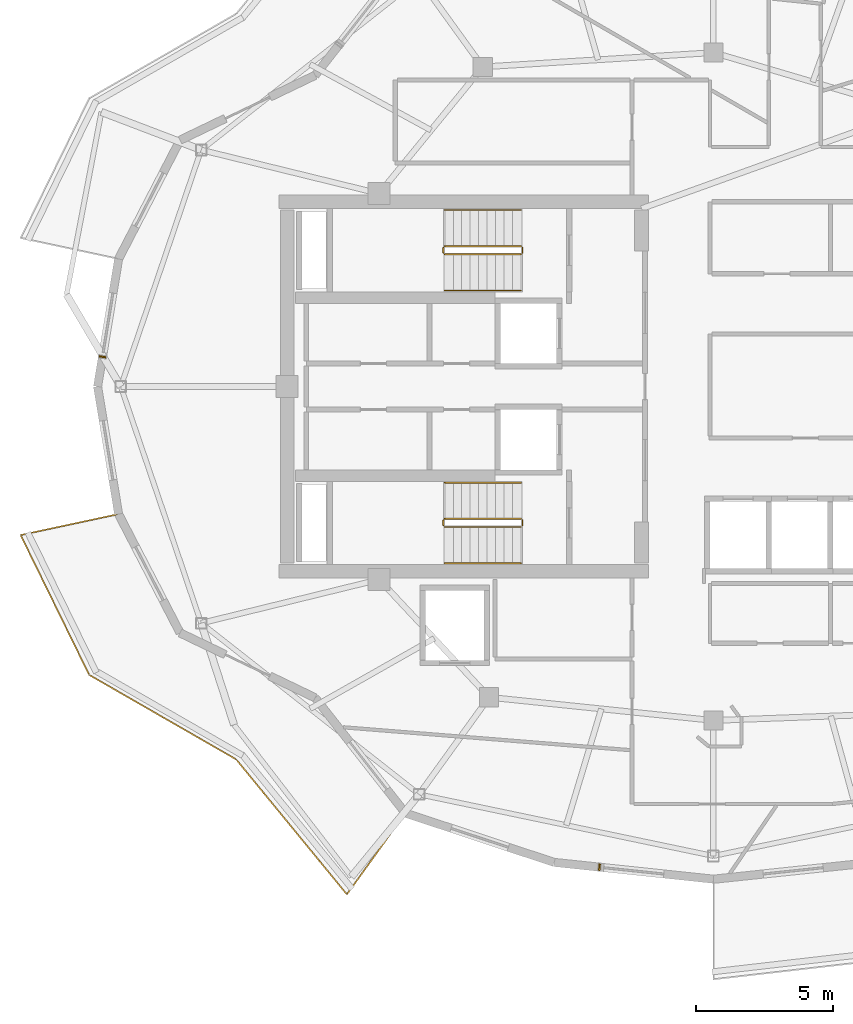
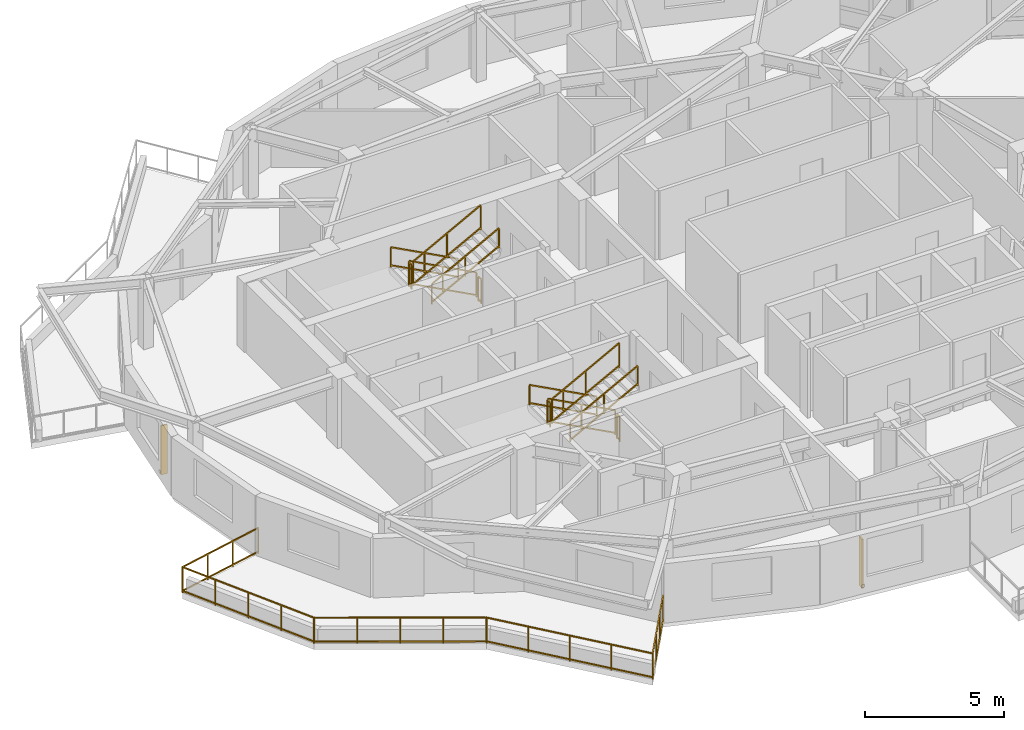
# One storey, part 12 of 14: 13 railings, 2 shading devices.
"""IFC4 building model written with IfcOpenShell, lengths in metres."""

import ifcopenshell
import ifcopenshell.guid

model = None  # the IFC model being written
_history = None  # IfcOwnerHistory: only IFC2X3 demands one
_inside = {}  # id of a spatial element -> (the spatial element, [elements in it])
_under = {}  # id of a project, library or spatial element -> (it, [spatial elements below it])
_declared = {}  # id of a project -> (the project, [libraries it declares])
_typed = {}  # id of a type object -> (the type object, [elements of that type])
_made_of = {}  # id of a material, layer set ... -> (it, [elements and type objects made of it])


def new_model(schema):
    """Start an empty IFC model of exactly this schema.

    Asked for "IFC4X3", IfcOpenShell would pick the latest addendum, in which some entities
    have other attributes; the version numbers below select the first issue.
    IFC2X3 requires an IfcOwnerHistory on every rooted entity: one is made here for all.
    """
    global model, _history
    if schema == "IFC4X3":
        model = ifcopenshell.file(schema_version=(4, 3, 0, 0))
    else:
        model = ifcopenshell.file(schema=schema)
    _inside.clear()
    _under.clear()
    _declared.clear()
    _typed.clear()
    _made_of.clear()
    _history = None
    if model.schema == "IFC2X3":
        org = make("IfcOrganization", Name="unknown")
        user = make(
            "IfcPersonAndOrganization",
            ThePerson=make("IfcPerson", FamilyName="unknown"),
            TheOrganization=org,
        )
        app = make(
            "IfcApplication",
            ApplicationDeveloper=org,
            Version="unknown",
            ApplicationFullName="unknown",
            ApplicationIdentifier="unknown",
        )
        _history = make(
            "IfcOwnerHistory",
            OwningUser=user,
            OwningApplication=app,
            ChangeAction="ADDED",
            CreationDate=0,
        )
    return model


def make(cls, **values):
    """One entity of the class cls with the attributes given. An attribute that is None is left unset."""
    return model.create_entity(
        cls, **{name: value for name, value in values.items() if value is not None}
    )


def rooted(cls, **values):
    """An entity with a GlobalId (a new one), such as an element, a storey or a relation."""
    return make(cls, GlobalId=ifcopenshell.guid.new(), OwnerHistory=_history, **values)


def si_unit(unit_type, name, prefix=None):
    """IfcSIUnit, for example si_unit("LENGTHUNIT", "METRE", prefix="MILLI")."""
    return make("IfcSIUnit", UnitType=unit_type, Prefix=prefix, Name=name)


def assignment(units):
    """IfcUnitAssignment: the units of a project."""
    return None if units is None else make("IfcUnitAssignment", Units=units)


def point(xyz):
    """IfcCartesianPoint."""
    return None if xyz is None else make("IfcCartesianPoint", Coordinates=xyz)


def direction(xyz):
    """IfcDirection."""
    return None if xyz is None else make("IfcDirection", DirectionRatios=xyz)


def frame(location, z_axis=None, x_axis=None):
    """IfcAxis2Placement3D, a coordinate frame: its origin and axes. An axis left out is left unset."""
    return make(
        "IfcAxis2Placement3D",
        Location=point(location),
        Axis=direction(z_axis),
        RefDirection=direction(x_axis),
    )


def frame_2d(location, x_axis=None):
    """IfcAxis2Placement2D, a coordinate frame in the plane: its origin and x axis."""
    return make(
        "IfcAxis2Placement2D", Location=point(location), RefDirection=direction(x_axis)
    )


def origin():
    """The frame at (0, 0, 0) with its axes left unset."""
    return frame((0.0, 0.0, 0.0))


def origin_2d():
    """The frame at (0, 0) in the plane with its x axis left unset."""
    return frame_2d((0.0, 0.0))


def place(relative_to, where):
    """IfcLocalPlacement: puts the frame where relative to a parent placement (None: the world)."""
    return make(
        "IfcLocalPlacement", PlacementRelTo=relative_to, RelativePlacement=where
    )


def context(
    kind, dimensions, precision=None, world=None, true_north=None, identifier=None
):
    """IfcGeometricRepresentationContext, for example the 3D "Model" context."""
    return make(
        "IfcGeometricRepresentationContext",
        ContextIdentifier=identifier,
        ContextType=kind,
        CoordinateSpaceDimension=dimensions,
        Precision=precision,
        WorldCoordinateSystem=world,
        TrueNorth=true_north,
    )


def subcontext(parent, identifier, kind, view, scale=None):
    """IfcGeometricRepresentationSubContext, for example "Body" below "Model"."""
    return make(
        "IfcGeometricRepresentationSubContext",
        ContextIdentifier=identifier,
        ContextType=kind,
        ParentContext=parent,
        TargetScale=scale,
        TargetView=view,
    )


def project(units=None, contexts=None):
    """IfcProject with its units and contexts."""
    return rooted(
        "IfcProject",
        Name="project",
        RepresentationContexts=contexts,
        UnitsInContext=assignment(units),
    )


def spatial(cls, under=None, at=None, **own):
    """A site, building, storey or space (cls), placed at a placement, below another one or the project."""
    s = rooted(cls, ObjectPlacement=at, **own)
    if under is not None:
        _under.setdefault(under.id(), (under, []))[1].append(s)
    return s


def profile(cls, at=None, kind="AREA", **sizes):
    """A parametric profile (cls). Its sizes go by their IFC names, for example OverallWidth=200.0."""
    return make(cls, ProfileType=kind, Position=at, **sizes)


def rectangle(**sizes):
    """IfcRectangleProfileDef."""
    return profile("IfcRectangleProfileDef", **sizes)


def extrude(swept, where, along, depth):
    """IfcExtrudedAreaSolid: the profile swept, set in the frame where, extruded along a direction by depth."""
    return make(
        "IfcExtrudedAreaSolid",
        SweptArea=swept,
        Position=where,
        ExtrudedDirection=direction(along),
        Depth=depth,
    )


def shape(context_of_items, identifier, shape_type, items):
    """IfcShapeRepresentation: the items that make up one representation, for example the "Body"."""
    return make(
        "IfcShapeRepresentation",
        ContextOfItems=context_of_items,
        RepresentationIdentifier=identifier,
        RepresentationType=shape_type,
        Items=items,
    )


def material(Name=None, Category=None):
    """IfcMaterial."""
    return make("IfcMaterial", Name=Name, Category=Category)


def made_of(thing, what):
    """Note that an element or type object is made of a material, layer set ...; save() writes the relation."""
    if what is not None:
        _made_of.setdefault(what.id(), (what, []))[1].append(thing)
    return thing


def type_object(cls, material=None, **own):
    """A type object (cls), such as IfcWallType, which elements share."""
    return made_of(rooted(cls, **own), material)


def element(
    cls,
    number,
    at=None,
    inside=None,
    cuts=None,
    type_object=None,
    material=None,
    context=None,
    identifier="Body",
    shape_type=None,
    held_by="IfcProductDefinitionShape",
    body=None,
    shapes=None,
    **own,
):
    """One element of the class cls, such as IfcWall. Its Tag is "e" and its number.

    at: its placement. inside: the storey or other place that contains it. cuts: it is an
    opening in that element (IfcRelVoidsElement). A single representation is given by context,
    identifier, shape_type and body (its items); several are given by shapes. held_by: the class
    of the entity that holds the representations. save() writes the other relations.
    """
    e = rooted(cls, Tag="e%d" % number, ObjectPlacement=at, **own)
    if body is not None:
        shapes = [shape(context, identifier, shape_type, body)]
    if shapes is not None:
        e.Representation = make(held_by, Representations=shapes)
    if inside is not None:
        _inside.setdefault(inside.id(), (inside, []))[1].append(e)
    if cuts is not None:
        rooted(
            "IfcRelVoidsElement", RelatingBuildingElement=cuts, RelatedOpeningElement=e
        )
    if type_object is not None:
        _typed.setdefault(type_object.id(), (type_object, []))[1].append(e)
    return made_of(e, material)


def aggregate(whole, parts):
    """IfcRelAggregates: a whole, such as a stair, and the parts it consists of."""
    return rooted("IfcRelAggregates", RelatingObject=whole, RelatedObjects=parts)


def save(model, path):
    """Write the relations noted so far, then the file.

    IfcRelAggregates (storeys below a building ...), IfcRelContainedInSpatialStructure (elements
    in a storey), IfcRelDefinesByType, IfcRelAssociatesMaterial and IfcRelDeclares: one each for
    every whole, place, type object, material and project.
    """
    for whole, parts in _under.values():
        aggregate(whole, parts)
    for where, things in _inside.values():
        rooted(
            "IfcRelContainedInSpatialStructure",
            RelatedElements=things,
            RelatingStructure=where,
        )
    for kind, things in _typed.values():
        rooted("IfcRelDefinesByType", RelatedObjects=things, RelatingType=kind)
    for what, things in _made_of.values():
        rooted("IfcRelAssociatesMaterial", RelatedObjects=things, RelatingMaterial=what)
    for by, libraries in _declared.values():
        rooted("IfcRelDeclares", RelatingContext=by, RelatedDefinitions=libraries)
    model.write(path)


model = new_model("IFC4")

# Units and contexts
model_context = context("Model", 3, precision=1e-05, world=origin(), true_north=direction((0.0, 1.0)))
body_context = subcontext(model_context, "Body", "Model", "MODEL_VIEW")
ifc_project = project(units=[si_unit("LENGTHUNIT", "METRE"), si_unit("AREAUNIT", "SQUARE_METRE"), si_unit("VOLUMEUNIT", "CUBIC_METRE"), si_unit("PLANEANGLEUNIT", "RADIAN"), si_unit("MASSUNIT", "GRAM", prefix="KILO")], contexts=[model_context])

# Site, building, storey
site_placement = place(None, origin())
site = spatial("IfcSite", under=ifc_project, at=site_placement, CompositionType="ELEMENT")
building_placement = place(site_placement, origin())
building = spatial("IfcBuilding", under=site, at=building_placement, Name="Kolvaren Gate Tower and Convention Centre", CompositionType="ELEMENT")
storey_placement = place(building_placement, frame((0.0, 0.0, 239.300048828125)))
storey = spatial("IfcBuildingStorey", under=building, at=storey_placement, Name="L64", CompositionType="ELEMENT", Elevation=239.300048828125)

# Railings
ifc_material_1 = material(Name="Brushed Stainless Steel Grade 316L", Category="steel")
railing_type_1 = type_object("IfcRailingType", Name="ARCH-RL-GUARD-1150", PredefinedType="GUARDRAIL", material=ifc_material_1)
railing_1_placement = place(storey_placement, frame((23.10009765625, 32.1298828125, 0.1650390625)))
element("IfcRailing", 1, at=railing_1_placement, inside=storey, type_object=railing_type_1, Name="L64 ST-T1 stair guard 1", PredefinedType="GUARDRAIL", context=body_context, shape_type="SweptSolid", body=[
    extrude(rectangle(XDim=0.048095703125, YDim=0.048095703125, at=origin_2d()), frame((0.0, 0.0, 1.076171875), z_axis=(-0.882767428149, 0.0, 0.469810246588), x_axis=(0.0, -1.0, 0.0)), (0.0, 0.0, 1.0), 3.16064453125),
    extrude(rectangle(XDim=0.048095703125, YDim=0.048095703125, at=origin_2d()), frame((0.0, 0.0, 0.083984375), z_axis=(-0.882767428149, 0.0, 0.469810246588), x_axis=(0.0, -1.0, 0.0)), (0.0, 0.0, 1.0), 3.16064453125),
    extrude(rectangle(XDim=0.0419921875, YDim=0.0419921875, at=origin_2d()), origin(), (0.0, 0.0, 1.0), 1.050048828125),
    extrude(rectangle(XDim=0.0419921875, YDim=0.0419921875, at=origin_2d()), frame((-2.7900390625, 0.0, 1.48486328125)), (0.0, 0.0, 1.0), 1.050048828125),
    extrude(rectangle(XDim=0.0419921875, YDim=0.0419921875, at=origin_2d()), frame((-1.39501953125, 0.0, 0.742431640625)), (0.0, 0.0, 1.0), 1.050048828125),
])
railing_2_placement = place(storey_placement, frame((20.260009765625, 32.080078125, 1.64990234375)))
element("IfcRailing", 2, at=railing_2_placement, inside=storey, type_object=railing_type_1, Name="L64 ST-T1 stair guard 2", PredefinedType="GUARDRAIL", context=body_context, shape_type="SweptSolid", body=[
    extrude(rectangle(XDim=0.048095703125, YDim=0.048095703125, at=origin_2d()), frame((0.0, 0.0, 1.076171875), z_axis=(0.0, -1.0, 0.0), x_axis=(1.0, 0.0, 0.0)), (0.0, 0.0, 1.0), 0.2001953125),
    extrude(rectangle(XDim=0.048095703125, YDim=0.048095703125, at=origin_2d()), frame((0.0, 0.0, 0.083984375), z_axis=(0.0, -1.0, 0.0), x_axis=(1.0, 0.0, 0.0)), (0.0, 0.0, 1.0), 0.2001953125),
    extrude(rectangle(XDim=0.0419921875, YDim=0.0419921875, at=origin_2d()), origin(), (0.0, 0.0, 1.0), 1.050048828125),
    extrude(rectangle(XDim=0.0419921875, YDim=0.0419921875, at=origin_2d()), frame((0.0, -0.2001953125, 0.0)), (0.0, 0.0, 1.0), 1.050048828125),
])
railing_3_placement = place(storey_placement, frame((20.31005859375, 31.830078125, 1.81494140625)))
element("IfcRailing", 3, at=railing_3_placement, inside=storey, type_object=railing_type_1, Name="L64 ST-T1 stair guard 3", PredefinedType="GUARDRAIL", context=body_context, shape_type="SweptSolid", body=[
    extrude(rectangle(XDim=0.048095703125, YDim=0.048095703125, at=origin_2d()), frame((0.0, 0.0, 1.076171875), z_axis=(0.882735390775, 0.0, 0.469870439454), x_axis=(0.0, 1.0, 0.0)), (0.0, 0.0, 1.0), 3.16064453125),
    extrude(rectangle(XDim=0.048095703125, YDim=0.048095703125, at=origin_2d()), frame((0.0, 0.0, 0.083984375), z_axis=(0.882735390775, 0.0, 0.469870439454), x_axis=(0.0, 1.0, 0.0)), (0.0, 0.0, 1.0), 3.16064453125),
    extrude(rectangle(XDim=0.0419921875, YDim=0.0419921875, at=origin_2d()), origin(), (0.0, 0.0, 1.0), 1.050048828125),
    extrude(rectangle(XDim=0.0419921875, YDim=0.0419921875, at=origin_2d()), frame((2.7900390625, 0.0, 1.485107421875)), (0.0, 0.0, 1.0), 1.050048828125),
    extrude(rectangle(XDim=0.0419921875, YDim=0.0419921875, at=origin_2d()), frame((1.39501953125, 0.0, 0.74267578125)), (0.0, 0.0, 1.0), 1.050048828125),
])
railing_4_placement = place(storey_placement, frame((23.14990234375, 32.080078125, 0.0)))
element("IfcRailing", 4, at=railing_4_placement, inside=storey, type_object=railing_type_1, Name="L64 ST-T1 stair guard 4", PredefinedType="GUARDRAIL", context=body_context, shape_type="SweptSolid", body=[
    extrude(rectangle(XDim=0.048095703125, YDim=0.048095703125, at=origin_2d()), frame((0.0, 0.0, 1.076171875), z_axis=(0.0, -1.0, 0.0), x_axis=(1.0, 0.0, 0.0)), (0.0, 0.0, 1.0), 0.2001953125),
    extrude(rectangle(XDim=0.048095703125, YDim=0.048095703125, at=origin_2d()), frame((0.0, 0.0, 0.083984375), z_axis=(0.0, -1.0, 0.0), x_axis=(1.0, 0.0, 0.0)), (0.0, 0.0, 1.0), 0.2001953125),
    extrude(rectangle(XDim=0.0419921875, YDim=0.0419921875, at=origin_2d()), origin(), (0.0, 0.0, 1.0), 1.050048828125),
    extrude(rectangle(XDim=0.0419921875, YDim=0.0419921875, at=origin_2d()), frame((0.0, -0.2001953125, 0.0)), (0.0, 0.0, 1.0), 1.050048828125),
])
railing_5_placement = place(storey_placement, frame((23.10009765625, 22.169921875, 0.1650390625)))
element("IfcRailing", 5, at=railing_5_placement, inside=storey, type_object=railing_type_1, Name="L64 ST-T2 stair guard 1", PredefinedType="GUARDRAIL", context=body_context, shape_type="SweptSolid", body=[
    extrude(rectangle(XDim=0.048095703125, YDim=0.048095703125, at=origin_2d()), frame((0.0, 0.0, 1.076171875), z_axis=(-0.882767428149, 0.0, 0.469810246588), x_axis=(0.0, -1.0, 0.0)), (0.0, 0.0, 1.0), 3.16064453125),
    extrude(rectangle(XDim=0.048095703125, YDim=0.048095703125, at=origin_2d()), frame((0.0, 0.0, 0.083984375), z_axis=(-0.882767428149, 0.0, 0.469810246588), x_axis=(0.0, -1.0, 0.0)), (0.0, 0.0, 1.0), 3.16064453125),
    extrude(rectangle(XDim=0.0419921875, YDim=0.0419921875, at=origin_2d()), origin(), (0.0, 0.0, 1.0), 1.050048828125),
    extrude(rectangle(XDim=0.0419921875, YDim=0.0419921875, at=origin_2d()), frame((-2.7900390625, 0.0, 1.48486328125)), (0.0, 0.0, 1.0), 1.050048828125),
    extrude(rectangle(XDim=0.0419921875, YDim=0.0419921875, at=origin_2d()), frame((-1.39501953125, 0.0, 0.742431640625)), (0.0, 0.0, 1.0), 1.050048828125),
])
railing_6_placement = place(storey_placement, frame((20.260009765625, 22.1201171875, 1.64990234375)))
element("IfcRailing", 6, at=railing_6_placement, inside=storey, type_object=railing_type_1, Name="L64 ST-T2 stair guard 2", PredefinedType="GUARDRAIL", context=body_context, shape_type="SweptSolid", body=[
    extrude(rectangle(XDim=0.048095703125, YDim=0.048095703125, at=origin_2d()), frame((0.0, 0.0, 1.076171875), z_axis=(0.0, -1.0, 0.0), x_axis=(1.0, 0.0, 0.0)), (0.0, 0.0, 1.0), 0.2001953125),
    extrude(rectangle(XDim=0.048095703125, YDim=0.048095703125, at=origin_2d()), frame((0.0, 0.0, 0.083984375), z_axis=(0.0, -1.0, 0.0), x_axis=(1.0, 0.0, 0.0)), (0.0, 0.0, 1.0), 0.2001953125),
    extrude(rectangle(XDim=0.0419921875, YDim=0.0419921875, at=origin_2d()), origin(), (0.0, 0.0, 1.0), 1.050048828125),
    extrude(rectangle(XDim=0.0419921875, YDim=0.0419921875, at=origin_2d()), frame((0.0, -0.2001953125, 0.0)), (0.0, 0.0, 1.0), 1.050048828125),
])
railing_7_placement = place(storey_placement, frame((20.31005859375, 21.8701171875, 1.81494140625)))
element("IfcRailing", 7, at=railing_7_placement, inside=storey, type_object=railing_type_1, Name="L64 ST-T2 stair guard 3", PredefinedType="GUARDRAIL", context=body_context, shape_type="SweptSolid", body=[
    extrude(rectangle(XDim=0.048095703125, YDim=0.048095703125, at=origin_2d()), frame((0.0, 0.0, 1.076171875), z_axis=(0.882735390775, 0.0, 0.469870439454), x_axis=(0.0, 1.0, 0.0)), (0.0, 0.0, 1.0), 3.16064453125),
    extrude(rectangle(XDim=0.048095703125, YDim=0.048095703125, at=origin_2d()), frame((0.0, 0.0, 0.083984375), z_axis=(0.882735390775, 0.0, 0.469870439454), x_axis=(0.0, 1.0, 0.0)), (0.0, 0.0, 1.0), 3.16064453125),
    extrude(rectangle(XDim=0.0419921875, YDim=0.0419921875, at=origin_2d()), origin(), (0.0, 0.0, 1.0), 1.050048828125),
    extrude(rectangle(XDim=0.0419921875, YDim=0.0419921875, at=origin_2d()), frame((2.7900390625, 0.0, 1.485107421875)), (0.0, 0.0, 1.0), 1.050048828125),
    extrude(rectangle(XDim=0.0419921875, YDim=0.0419921875, at=origin_2d()), frame((1.39501953125, 0.0, 0.74267578125)), (0.0, 0.0, 1.0), 1.050048828125),
])
railing_8_placement = place(storey_placement, frame((23.14990234375, 22.1201171875, 0.0)))
element("IfcRailing", 8, at=railing_8_placement, inside=storey, type_object=railing_type_1, Name="L64 ST-T2 stair guard 4", PredefinedType="GUARDRAIL", context=body_context, shape_type="SweptSolid", body=[
    extrude(rectangle(XDim=0.048095703125, YDim=0.048095703125, at=origin_2d()), frame((0.0, 0.0, 1.076171875), z_axis=(0.0, -1.0, 0.0), x_axis=(1.0, 0.0, 0.0)), (0.0, 0.0, 1.0), 0.2001953125),
    extrude(rectangle(XDim=0.048095703125, YDim=0.048095703125, at=origin_2d()), frame((0.0, 0.0, 0.083984375), z_axis=(0.0, -1.0, 0.0), x_axis=(1.0, 0.0, 0.0)), (0.0, 0.0, 1.0), 0.2001953125),
    extrude(rectangle(XDim=0.0419921875, YDim=0.0419921875, at=origin_2d()), origin(), (0.0, 0.0, 1.0), 1.050048828125),
    extrude(rectangle(XDim=0.0419921875, YDim=0.0419921875, at=origin_2d()), frame((0.0, -0.2001953125, 0.0)), (0.0, 0.0, 1.0), 1.050048828125),
])
railing_9_placement = place(storey_placement, frame((8.3916015625, 22.34130859375, 0.0)))
element("IfcRailing", 9, at=railing_9_placement, inside=storey, type_object=railing_type_1, Name="Tower L64 Terrace Perimeter Guardrail GR-2", PredefinedType="GUARDRAIL", context=body_context, shape_type="SweptSolid", body=[
    extrude(rectangle(XDim=0.048095703125, YDim=0.048095703125, at=origin_2d()), frame((-0.02734375, -0.005859375, 1.1259765625), z_axis=(-0.977788745232, -0.209592866525, 0.0), x_axis=(0.209592866525, -0.977788745232, 0.0)), (0.0, 0.0, 1.0), 3.603759765625),
    extrude(rectangle(XDim=0.048095703125, YDim=0.048095703125, at=origin_2d()), frame((-0.02734375, -0.005859375, 0.083984375), z_axis=(-0.977788745232, -0.209592866525, 0.0), x_axis=(0.209592866525, -0.977788745232, 0.0)), (0.0, 0.0, 1.0), 3.603759765625),
    extrude(rectangle(XDim=0.048095703125, YDim=0.048095703125, at=origin_2d()), frame((-3.566162109375, -0.792236328125, 1.1259765625), z_axis=(0.440058847499, -0.897968936399, 0.0), x_axis=(0.897968936399, 0.440058847499, 0.0)), (0.0, 0.0, 1.0), 5.63330078125),
    extrude(rectangle(XDim=0.048095703125, YDim=0.048095703125, at=origin_2d()), frame((-3.566162109375, -0.792236328125, 0.083984375), z_axis=(0.440058847499, -0.897968936399, 0.0), x_axis=(0.897968936399, 0.440058847499, 0.0)), (0.0, 0.0, 1.0), 5.63330078125),
    extrude(rectangle(XDim=0.048095703125, YDim=0.048095703125, at=origin_2d()), frame((-1.050537109375, -5.889892578125, 1.1259765625), z_axis=(0.866894385595, -0.498491849706, 0.0), x_axis=(0.498491849706, 0.866894385595, 0.0)), (0.0, 0.0, 1.0), 6.140869140625),
    extrude(rectangle(XDim=0.048095703125, YDim=0.048095703125, at=origin_2d()), frame((-1.050537109375, -5.889892578125, 0.083984375), z_axis=(0.866894385595, -0.498491849706, 0.0), x_axis=(0.498491849706, 0.866894385595, 0.0)), (0.0, 0.0, 1.0), 6.140869140625),
    extrude(rectangle(XDim=0.048095703125, YDim=0.048095703125, at=origin_2d()), frame((4.31494140625, -8.98681640625, 1.1259765625), z_axis=(0.634050293942, -0.773291810866, 0.0), x_axis=(0.773291810866, 0.634050293942, 0.0)), (0.0, 0.0, 1.0), 6.322509765625),
    extrude(rectangle(XDim=0.048095703125, YDim=0.048095703125, at=origin_2d()), frame((4.31494140625, -8.98681640625, 0.083984375), z_axis=(0.634050293942, -0.773291810866, 0.0), x_axis=(0.773291810866, 0.634050293942, 0.0)), (0.0, 0.0, 1.0), 6.322509765625),
    extrude(rectangle(XDim=0.048095703125, YDim=0.048095703125, at=origin_2d()), frame((8.35791015625, -13.875, 1.1259765625), z_axis=(0.585181217189, 0.810902548429, 0.0), x_axis=(-0.810902548429, 0.585181217189, 0.0)), (0.0, 0.0, 1.0), 3.60400390625),
    extrude(rectangle(XDim=0.048095703125, YDim=0.048095703125, at=origin_2d()), frame((8.35791015625, -13.875, 0.083984375), z_axis=(0.585181217189, 0.810902548429, 0.0), x_axis=(-0.810902548429, 0.585181217189, 0.0)), (0.0, 0.0, 1.0), 3.60400390625),
    extrude(rectangle(XDim=0.0419921875, YDim=0.0419921875, at=origin_2d()), origin(), (0.0, 0.0, 1.0), 1.14990234375),
    extrude(rectangle(XDim=0.0419921875, YDim=0.0419921875, at=origin_2d()), frame((-3.57861328125, -0.76708984375, 0.0)), (0.0, 0.0, 1.0), 1.14990234375),
    extrude(rectangle(XDim=0.0419921875, YDim=0.0419921875, at=origin_2d()), frame((-1.19287109375, -0.255615234375, 0.0)), (0.0, 0.0, 1.0), 1.099853515625),
    extrude(rectangle(XDim=0.0419921875, YDim=0.0419921875, at=origin_2d()), frame((-2.3857421875, -0.511474609375, 0.0)), (0.0, 0.0, 1.0), 1.099853515625),
    extrude(rectangle(XDim=0.0419921875, YDim=0.0419921875, at=origin_2d()), frame((-1.074951171875, -5.8759765625, 0.0)), (0.0, 0.0, 1.0), 1.14990234375),
    extrude(rectangle(XDim=0.0419921875, YDim=0.0419921875, at=origin_2d()), frame((-2.95263671875, -2.04443359375, 0.0)), (0.0, 0.0, 1.0), 1.099853515625),
    extrude(rectangle(XDim=0.0419921875, YDim=0.0419921875, at=origin_2d()), frame((-2.32666015625, -3.321533203125, 0.0)), (0.0, 0.0, 1.0), 1.099853515625),
    extrude(rectangle(XDim=0.0419921875, YDim=0.0419921875, at=origin_2d()), frame((-1.700927734375, -4.5986328125, 0.0)), (0.0, 0.0, 1.0), 1.099853515625),
    extrude(rectangle(XDim=0.0419921875, YDim=0.0419921875, at=origin_2d()), frame((4.297119140625, -8.965087890625, 0.0)), (0.0, 0.0, 1.0), 1.14990234375),
    extrude(rectangle(XDim=0.0419921875, YDim=0.0419921875, at=origin_2d()), frame((0.26806640625, -6.648193359375, 0.0)), (0.0, 0.0, 1.0), 1.099853515625),
    extrude(rectangle(XDim=0.0419921875, YDim=0.0419921875, at=origin_2d()), frame((1.611083984375, -7.42041015625, 0.0)), (0.0, 0.0, 1.0), 1.099853515625),
    extrude(rectangle(XDim=0.0419921875, YDim=0.0419921875, at=origin_2d()), frame((2.9541015625, -8.19287109375, 0.0)), (0.0, 0.0, 1.0), 1.099853515625),
    extrude(rectangle(XDim=0.0419921875, YDim=0.0419921875, at=origin_2d()), frame((8.341552734375, -13.897705078125, 0.0)), (0.0, 0.0, 1.0), 1.14990234375),
    extrude(rectangle(XDim=0.0419921875, YDim=0.0419921875, at=origin_2d()), frame((5.30810546875, -10.1982421875, 0.0)), (0.0, 0.0, 1.0), 1.099853515625),
    extrude(rectangle(XDim=0.0419921875, YDim=0.0419921875, at=origin_2d()), frame((6.3193359375, -11.431396484375, 0.0)), (0.0, 0.0, 1.0), 1.099853515625),
    extrude(rectangle(XDim=0.0419921875, YDim=0.0419921875, at=origin_2d()), frame((7.33056640625, -12.66455078125, 0.0)), (0.0, 0.0, 1.0), 1.099853515625),
    extrude(rectangle(XDim=0.0419921875, YDim=0.0419921875, at=origin_2d()), frame((10.4833984375, -10.9296875, 0.0)), (0.0, 0.0, 1.0), 1.14990234375),
    extrude(rectangle(XDim=0.0419921875, YDim=0.0419921875, at=origin_2d()), frame((9.055419921875, -12.908447265625, 0.0)), (0.0, 0.0, 1.0), 1.099853515625),
    extrude(rectangle(XDim=0.0419921875, YDim=0.0419921875, at=origin_2d()), frame((9.76953125, -11.9189453125, 0.0)), (0.0, 0.0, 1.0), 1.099853515625),
])
railing_type_2 = type_object("IfcRailingType", Name="ARCH-RL-HANDRAIL-920", PredefinedType="HANDRAIL", material=ifc_material_1)
railing_10_placement = place(storey_placement, frame((23.10009765625, 33.449951171875, 0.1650390625)))
element("IfcRailing", 10, at=railing_10_placement, inside=storey, type_object=railing_type_2, Name="L64 ST-T1 stair handrail 1", PredefinedType="HANDRAIL", context=body_context, shape_type="SweptSolid", body=[
    extrude(rectangle(XDim=0.048095703125, YDim=0.048095703125, at=origin_2d()), frame((0.0, 0.0, 0.8759765625), z_axis=(-0.882767428149, 0.0, 0.469810246588), x_axis=(0.0, -1.0, 0.0)), (0.0, 0.0, 1.0), 3.16064453125),
    extrude(rectangle(XDim=0.048095703125, YDim=0.048095703125, at=origin_2d()), frame((0.0, 0.0, 0.083984375), z_axis=(-0.882767428149, 0.0, 0.469810246588), x_axis=(0.0, -1.0, 0.0)), (0.0, 0.0, 1.0), 3.16064453125),
    extrude(rectangle(XDim=0.0419921875, YDim=0.0419921875, at=origin_2d()), origin(), (0.0, 0.0, 1.0), 0.849853515625),
    extrude(rectangle(XDim=0.0419921875, YDim=0.0419921875, at=origin_2d()), frame((-2.7900390625, 0.0, 1.48486328125)), (0.0, 0.0, 1.0), 0.849853515625),
    extrude(rectangle(XDim=0.0419921875, YDim=0.0419921875, at=origin_2d()), frame((-1.39501953125, 0.0, 0.742431640625)), (0.0, 0.0, 1.0), 0.849853515625),
])
railing_11_placement = place(storey_placement, frame((20.31005859375, 30.510009765625, 1.81494140625)))
element("IfcRailing", 11, at=railing_11_placement, inside=storey, type_object=railing_type_2, Name="L64 ST-T1 stair handrail 2", PredefinedType="HANDRAIL", context=body_context, shape_type="SweptSolid", body=[
    extrude(rectangle(XDim=0.048095703125, YDim=0.048095703125, at=origin_2d()), frame((0.0, 0.0, 0.8759765625), z_axis=(0.882735390775, 0.0, 0.469870439454), x_axis=(0.0, 1.0, 0.0)), (0.0, 0.0, 1.0), 3.16064453125),
    extrude(rectangle(XDim=0.048095703125, YDim=0.048095703125, at=origin_2d()), frame((0.0, 0.0, 0.083984375), z_axis=(0.882735390775, 0.0, 0.469870439454), x_axis=(0.0, 1.0, 0.0)), (0.0, 0.0, 1.0), 3.16064453125),
    extrude(rectangle(XDim=0.0419921875, YDim=0.0419921875, at=origin_2d()), origin(), (0.0, 0.0, 1.0), 0.849853515625),
    extrude(rectangle(XDim=0.0419921875, YDim=0.0419921875, at=origin_2d()), frame((2.7900390625, 0.0, 1.485107421875)), (0.0, 0.0, 1.0), 0.849853515625),
    extrude(rectangle(XDim=0.0419921875, YDim=0.0419921875, at=origin_2d()), frame((1.39501953125, 0.0, 0.74267578125)), (0.0, 0.0, 1.0), 0.849853515625),
])
railing_12_placement = place(storey_placement, frame((23.10009765625, 23.489990234375, 0.1650390625)))
element("IfcRailing", 12, at=railing_12_placement, inside=storey, type_object=railing_type_2, Name="L64 ST-T2 stair handrail 1", PredefinedType="HANDRAIL", context=body_context, shape_type="SweptSolid", body=[
    extrude(rectangle(XDim=0.048095703125, YDim=0.048095703125, at=origin_2d()), frame((0.0, 0.0, 0.8759765625), z_axis=(-0.882767428149, 0.0, 0.469810246588), x_axis=(0.0, -1.0, 0.0)), (0.0, 0.0, 1.0), 3.16064453125),
    extrude(rectangle(XDim=0.048095703125, YDim=0.048095703125, at=origin_2d()), frame((0.0, 0.0, 0.083984375), z_axis=(-0.882767428149, 0.0, 0.469810246588), x_axis=(0.0, -1.0, 0.0)), (0.0, 0.0, 1.0), 3.16064453125),
    extrude(rectangle(XDim=0.0419921875, YDim=0.0419921875, at=origin_2d()), origin(), (0.0, 0.0, 1.0), 0.849853515625),
    extrude(rectangle(XDim=0.0419921875, YDim=0.0419921875, at=origin_2d()), frame((-2.7900390625, 0.0, 1.48486328125)), (0.0, 0.0, 1.0), 0.849853515625),
    extrude(rectangle(XDim=0.0419921875, YDim=0.0419921875, at=origin_2d()), frame((-1.39501953125, 0.0, 0.742431640625)), (0.0, 0.0, 1.0), 0.849853515625),
])
railing_13_placement = place(storey_placement, frame((20.31005859375, 20.550048828125, 1.81494140625)))
element("IfcRailing", 13, at=railing_13_placement, inside=storey, type_object=railing_type_2, Name="L64 ST-T2 stair handrail 2", PredefinedType="HANDRAIL", context=body_context, shape_type="SweptSolid", body=[
    extrude(rectangle(XDim=0.048095703125, YDim=0.048095703125, at=origin_2d()), frame((0.0, 0.0, 0.8759765625), z_axis=(0.882735390775, 0.0, 0.469870439454), x_axis=(0.0, 1.0, 0.0)), (0.0, 0.0, 1.0), 3.16064453125),
    extrude(rectangle(XDim=0.048095703125, YDim=0.048095703125, at=origin_2d()), frame((0.0, 0.0, 0.083984375), z_axis=(0.882735390775, 0.0, 0.469870439454), x_axis=(0.0, 1.0, 0.0)), (0.0, 0.0, 1.0), 3.16064453125),
    extrude(rectangle(XDim=0.0419921875, YDim=0.0419921875, at=origin_2d()), origin(), (0.0, 0.0, 1.0), 0.849853515625),
    extrude(rectangle(XDim=0.0419921875, YDim=0.0419921875, at=origin_2d()), frame((2.7900390625, 0.0, 1.485107421875)), (0.0, 0.0, 1.0), 0.849853515625),
    extrude(rectangle(XDim=0.0419921875, YDim=0.0419921875, at=origin_2d()), frame((1.39501953125, 0.0, 0.74267578125)), (0.0, 0.0, 1.0), 0.849853515625),
])

# Shading devices
ifc_material_2 = material(Name="Kiln-Fired Bogota Terracotta Ceramic Louvre Profile", Category="masonry")
shading_device_type = type_object("IfcShadingDeviceType", Name="ARCH-SHD-FIN-180", PredefinedType="JALOUSIE", material=ifc_material_2)
for number, where, z_axis, x_axis, name in (
    (14, (7.8037109375, 28.08642578125, 0.219970703125), (0.0, 0.0, 1.0), (0.162389178836, 0.986726788223, 0.0), "Ceramic Vertical Brise-Soleil Fin FN-L64-11"),
    (15, (25.96044921875, 9.438720703125, 0.219970703125), (0.0, 0.0, 1.0), (0.994499981166, -0.104736753152, 0.0), "Ceramic Vertical Brise-Soleil Fin FN-L64-17"),
):
    element("IfcShadingDevice", number, at=place(storey_placement, frame(where, z_axis=z_axis, x_axis=x_axis)), inside=storey, type_object=shading_device_type, Name=name, PredefinedType="JALOUSIE", context=body_context, shape_type="SweptSolid", body=[
        extrude(rectangle(XDim=0.06005859375, YDim=0.239990234375, at=origin_2d()), origin(), (0.0, 0.0, 1.0), 2.14990234375),
    ])

save(model, "model.ifc")
